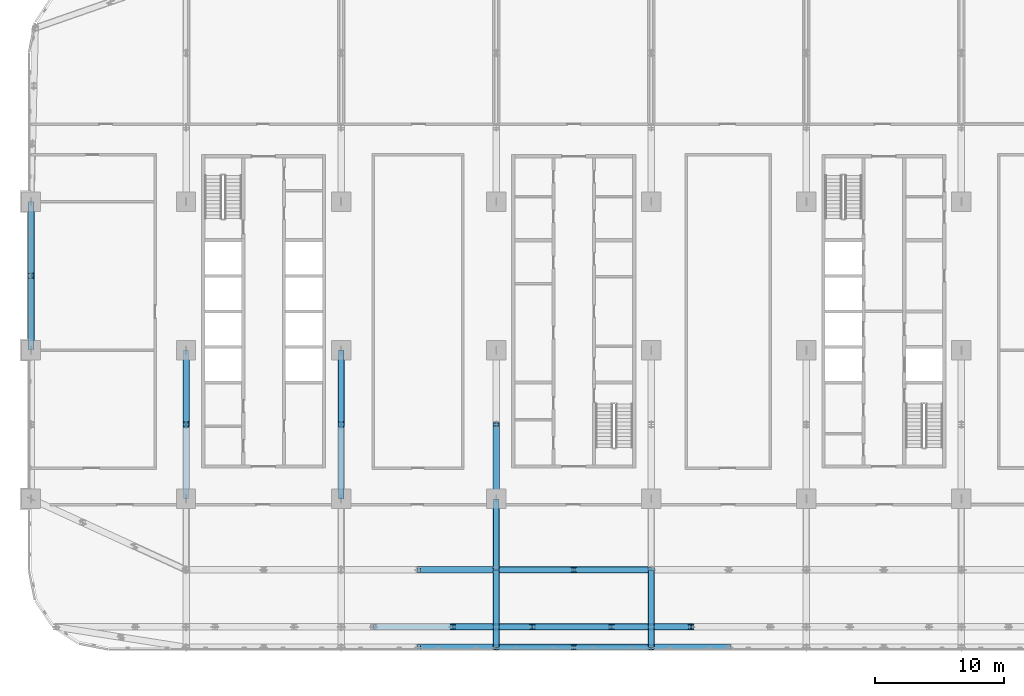
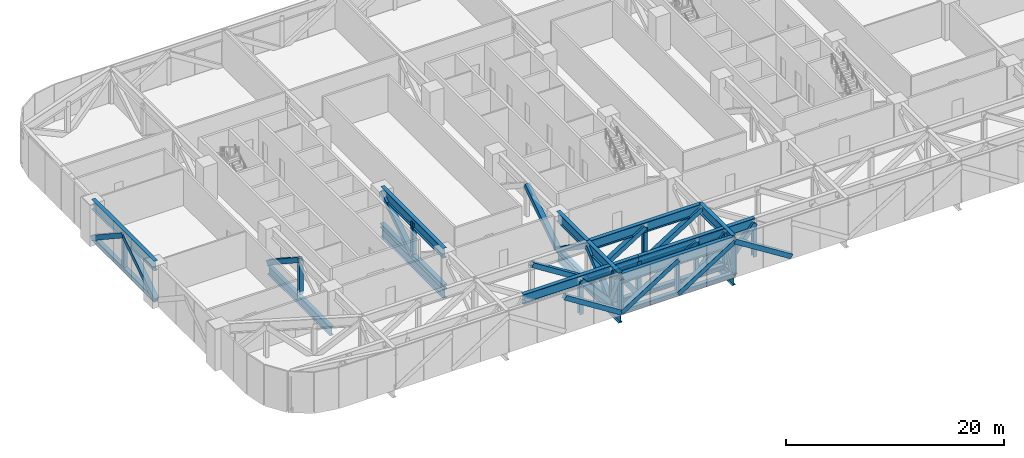
# One storey, part 4 of 26: 52 members, 5 beams.
"""IFC4 building model written with IfcOpenShell, lengths in metres."""

from ifc_helpers import new_model, si_unit, direction, frame, origin, origin_2d, place, context, subcontext, project, spatial, hollow_rectangle, i_section, extrude, material, material_profile, profile_set, type_object, element, save


model = new_model("IFC4")

# Units and contexts
model_context = context("Model", 3, precision=1e-05, world=origin(), true_north=direction((0.0, 1.0)))
body_context = subcontext(model_context, "Body", "Model", "MODEL_VIEW")
ifc_project = project(units=[si_unit("LENGTHUNIT", "METRE"), si_unit("AREAUNIT", "SQUARE_METRE"), si_unit("VOLUMEUNIT", "CUBIC_METRE"), si_unit("PLANEANGLEUNIT", "RADIAN"), si_unit("MASSUNIT", "GRAM", prefix="KILO")], contexts=[model_context])

# Site, building, storey
site_placement = place(None, origin())
site = spatial("IfcSite", under=ifc_project, at=site_placement, CompositionType="ELEMENT")
building_placement = place(site_placement, origin())
building = spatial("IfcBuilding", under=site, at=building_placement, Name="Mahtab Terrace Research Tower", CompositionType="ELEMENT")
storey_placement = place(building_placement, frame((0.0, 0.0, 80.39990234375)))
storey = spatial("IfcBuildingStorey", under=building, at=storey_placement, Name="L18", CompositionType="ELEMENT", Elevation=80.39990234375)

# Members
ifc_material_1 = material(Name="Steel ASTM A500 Gr C", Category="steel")
ifc_material_profile_1 = material_profile(ifc_material_1, hollow_rectangle(XDim=0.508056640625, YDim=0.508056640625, WallThickness=0.01904296875, at=origin_2d()), Name="HSS20X20X3/4")
ifc_profile_set_1 = profile_set([ifc_material_profile_1], Name="Steel ASTM A500 Gr C")
member_type_1 = type_object("IfcMemberType", Name="HSS 20x20x3/4 brace TD202034", PredefinedType="BRACE", material=ifc_profile_set_1)
for number, where, z_axis, x_axis, name in (
    (1, (-42.0, 0.0, -0.29345703125), (0.0, 0.834630911502, 0.550809623704), (-1.0, 0.0, 0.0), "Transfer truss T2 diagonal 004"),
    (2, (-42.0, 11.5, -0.29345703125), (0.0, -0.834630911502, 0.550809623704), (1.0, 0.0, 0.0), "Transfer truss T2 diagonal 005"),
    (3, (-30.0, 0.0, -0.29345703125), (0.0, -0.834630911502, 0.550809623704), (1.0, 0.0, 0.0), "Transfer truss T2 diagonal 022"),
    (4, (-18.0, -5.75, -0.29345703125), (0.0, 0.834630911502, 0.550809623704), (-1.0, 0.0, 0.0), "Transfer truss T2 diagonal 039"),
):
    element("IfcMember", number, at=place(storey_placement, frame(where, z_axis=z_axis, x_axis=x_axis)), inside=storey, type_object=member_type_1, Name=name, PredefinedType="BRACE", context=body_context, shape_type="SweptSolid", body=[
        extrude(hollow_rectangle(XDim=0.508056640625, YDim=0.508056640625, WallThickness=0.01904296875, at=origin_2d()), origin(), (0.0, 0.0, 1.0), 6.88916015625),
    ])
member_1_placement = place(storey_placement, frame((-6.0, -17.0, -0.29345703125), z_axis=(-0.845157783708, 0.0, 0.534516903978), x_axis=(0.0, -1.0, 0.0)))
element("IfcMember", 5, at=member_1_placement, inside=storey, type_object=member_type_1, Name="Transfer truss T2 diagonal 046", PredefinedType="BRACE", context=body_context, shape_type="SweptSolid", body=[
    extrude(hollow_rectangle(XDim=0.508056640625, YDim=0.508056640625, WallThickness=0.01904296875, at=origin_2d()), origin(), (0.0, 0.0, 1.0), 7.099365234375),
])
member_2_placement = place(storey_placement, frame((-6.0, -21.416015625, -0.29345703125), z_axis=(-0.662260742177, 0.0, 0.749273454335), x_axis=(0.0, -1.0, 0.0)))
element("IfcMember", 6, at=member_2_placement, inside=storey, type_object=member_type_1, Name="Transfer truss T2 diagonal 048", PredefinedType="BRACE", context=body_context, shape_type="SweptSolid", body=[
    extrude(hollow_rectangle(XDim=0.508056640625, YDim=0.508056640625, WallThickness=0.01904296875, at=origin_2d()), origin(), (0.0, 0.0, 1.0), 5.064453125),
])
member_3_placement = place(storey_placement, frame((-6.0, -23.0, -0.29345703125), z_axis=(-0.845157783708, 0.0, 0.534516903978), x_axis=(0.0, -1.0, 0.0)))
element("IfcMember", 7, at=member_3_placement, inside=storey, type_object=member_type_1, Name="Transfer truss T2 diagonal 049", PredefinedType="BRACE", context=body_context, shape_type="SweptSolid", body=[
    extrude(hollow_rectangle(XDim=0.508056640625, YDim=0.508056640625, WallThickness=0.01904296875, at=origin_2d()), origin(), (0.0, 0.0, 1.0), 7.099365234375),
])
member_4_placement = place(storey_placement, frame((-6.0, -21.416015625, -0.29345703125), z_axis=(0.0, -0.385209733972, 0.922829052887), x_axis=(1.0, 0.0, 0.0)))
element("IfcMember", 8, at=member_4_placement, inside=storey, type_object=member_type_1, Name="Transfer truss T2 diagonal 050", PredefinedType="BRACE", context=body_context, shape_type="SweptSolid", body=[
    extrude(hollow_rectangle(XDim=0.508056640625, YDim=0.508056640625, WallThickness=0.01904296875, at=origin_2d()), origin(), (0.0, 0.0, 1.0), 4.112060546875),
])
member_5_placement = place(storey_placement, frame((-6.0, -21.416015625, -0.29345703125), z_axis=(0.0, 0.75844798203, 0.651733579428), x_axis=(-1.0, 0.0, 0.0)))
element("IfcMember", 9, at=member_5_placement, inside=storey, type_object=member_type_1, Name="Transfer truss T2 diagonal 051", PredefinedType="BRACE", context=body_context, shape_type="SweptSolid", body=[
    extrude(hollow_rectangle(XDim=0.508056640625, YDim=0.508056640625, WallThickness=0.01904296875, at=origin_2d()), origin(), (0.0, 0.0, 1.0), 5.822509765625),
])
member_6_placement = place(storey_placement, frame((-3.2119140625, -21.416015625, -0.29345703125), z_axis=(-0.592098423699, 0.0, 0.805865656703), x_axis=(0.0, -1.0, 0.0)))
element("IfcMember", 10, at=member_6_placement, inside=storey, type_object=member_type_1, Name="Transfer truss T2 diagonal 052", PredefinedType="BRACE", context=body_context, shape_type="SweptSolid", body=[
    extrude(hollow_rectangle(XDim=0.508056640625, YDim=0.508056640625, WallThickness=0.01904296875, at=origin_2d()), origin(), (0.0, 0.0, 1.0), 4.708740234375),
])
member_7_placement = place(storey_placement, frame((-6.0, -17.0, -0.29345703125), z_axis=(0.845157783708, 0.0, 0.534516903978), x_axis=(0.0, 1.0, 0.0)))
element("IfcMember", 11, at=member_7_placement, inside=storey, type_object=member_type_1, Name="Transfer truss T2 diagonal 053", PredefinedType="BRACE", context=body_context, shape_type="SweptSolid", body=[
    extrude(hollow_rectangle(XDim=0.508056640625, YDim=0.508056640625, WallThickness=0.01904296875, at=origin_2d()), origin(), (0.0, 0.0, 1.0), 7.099365234375),
])
member_8_placement = place(storey_placement, frame((-6.0, -11.5, -0.29345703125), z_axis=(0.0, -0.82310265931, 0.567892606253), x_axis=(1.0, 0.0, 0.0)))
element("IfcMember", 12, at=member_8_placement, inside=storey, type_object=member_type_1, Name="Transfer truss T2 diagonal 054", PredefinedType="BRACE", context=body_context, shape_type="SweptSolid", body=[
    extrude(hollow_rectangle(XDim=0.508056640625, YDim=0.508056640625, WallThickness=0.01904296875, at=origin_2d()), origin(), (0.0, 0.0, 1.0), 6.68212890625),
])
member_9_placement = place(storey_placement, frame((-6.0, -11.5, -0.29345703125), z_axis=(0.0, 0.834630911502, 0.550809623704), x_axis=(-1.0, 0.0, 0.0)))
element("IfcMember", 13, at=member_9_placement, inside=storey, type_object=member_type_1, Name="Transfer truss T2 diagonal 055", PredefinedType="BRACE", context=body_context, shape_type="SweptSolid", body=[
    extrude(hollow_rectangle(XDim=0.508056640625, YDim=0.508056640625, WallThickness=0.01904296875, at=origin_2d()), origin(), (0.0, 0.0, 1.0), 6.88916015625),
])
member_10_placement = place(storey_placement, frame((-3.2119140625, -21.416015625, -0.29345703125), z_axis=(0.850687241188, 0.0, 0.525672157984), x_axis=(0.0, 1.0, 0.0)))
element("IfcMember", 14, at=member_10_placement, inside=storey, type_object=member_type_1, Name="Transfer truss T2 diagonal 061", PredefinedType="BRACE", context=body_context, shape_type="SweptSolid", body=[
    extrude(hollow_rectangle(XDim=0.508056640625, YDim=0.508056640625, WallThickness=0.01904296875, at=origin_2d()), origin(), (0.0, 0.0, 1.0), 7.21875),
])
for number, where, z_axis, x_axis, name in (
    (15, (-6.0, -23.0, -0.29345703125), (0.845157783708, 0.0, 0.534516903978), (0.0, 1.0, 0.0), "Transfer truss T2 diagonal 062"),
    (16, (0.0, -17.0, -0.29345703125), (0.845157783708, 0.0, 0.534516903978), (0.0, 1.0, 0.0), "Transfer truss T2 diagonal 063"),
):
    element("IfcMember", number, at=place(storey_placement, frame(where, z_axis=z_axis, x_axis=x_axis)), inside=storey, type_object=member_type_1, Name=name, PredefinedType="BRACE", context=body_context, shape_type="SweptSolid", body=[
        extrude(hollow_rectangle(XDim=0.508056640625, YDim=0.508056640625, WallThickness=0.01904296875, at=origin_2d()), origin(), (0.0, 0.0, 1.0), 7.099365234375),
    ])
member_11_placement = place(storey_placement, frame((2.928955078125, -21.416015625, -0.29345703125), z_axis=(0.629094637621, 0.0, 0.777328718701), x_axis=(0.0, 1.0, 0.0)))
element("IfcMember", 17, at=member_11_placement, inside=storey, type_object=member_type_1, Name="Transfer truss T2 diagonal 065", PredefinedType="BRACE", context=body_context, shape_type="SweptSolid", body=[
    extrude(hollow_rectangle(XDim=0.508056640625, YDim=0.508056640625, WallThickness=0.01904296875, at=origin_2d()), origin(), (0.0, 0.0, 1.0), 4.881591796875),
])
member_12_placement = place(storey_placement, frame((0.0, -23.0, -0.29345703125), z_axis=(0.845157783708, 0.0, 0.534516903978), x_axis=(0.0, 1.0, 0.0)))
element("IfcMember", 18, at=member_12_placement, inside=storey, type_object=member_type_1, Name="Transfer truss T2 diagonal 066", PredefinedType="BRACE", context=body_context, shape_type="SweptSolid", body=[
    extrude(hollow_rectangle(XDim=0.508056640625, YDim=0.508056640625, WallThickness=0.01904296875, at=origin_2d()), origin(), (0.0, 0.0, 1.0), 7.099365234375),
])
member_13_placement = place(storey_placement, frame((6.0, -23.0, -0.29345703125), z_axis=(0.0, 0.385209733972, 0.922829052887), x_axis=(-1.0, 0.0, 0.0)))
element("IfcMember", 19, at=member_13_placement, inside=storey, type_object=member_type_1, Name="Transfer truss T2 diagonal 067", PredefinedType="BRACE", context=body_context, shape_type="SweptSolid", body=[
    extrude(hollow_rectangle(XDim=0.508056640625, YDim=0.508056640625, WallThickness=0.01904296875, at=origin_2d()), origin(), (0.0, 0.0, 1.0), 4.112060546875),
])
member_14_placement = place(storey_placement, frame((6.0, -17.0, -0.29345703125), z_axis=(0.0, -0.75844798203, 0.651733579428), x_axis=(1.0, 0.0, 0.0)))
element("IfcMember", 20, at=member_14_placement, inside=storey, type_object=member_type_1, Name="Transfer truss T2 diagonal 068", PredefinedType="BRACE", context=body_context, shape_type="SweptSolid", body=[
    extrude(hollow_rectangle(XDim=0.508056640625, YDim=0.508056640625, WallThickness=0.01904296875, at=origin_2d()), origin(), (0.0, 0.0, 1.0), 5.822509765625),
])
member_15_placement = place(storey_placement, frame((6.0, -21.416015625, -0.29345703125), z_axis=(0.629094637621, 0.0, 0.777328718701), x_axis=(0.0, 1.0, 0.0)))
element("IfcMember", 21, at=member_15_placement, inside=storey, type_object=member_type_1, Name="Transfer truss T2 diagonal 069", PredefinedType="BRACE", context=body_context, shape_type="SweptSolid", body=[
    extrude(hollow_rectangle(XDim=0.508056640625, YDim=0.508056640625, WallThickness=0.01904296875, at=origin_2d()), origin(), (0.0, 0.0, 1.0), 4.881591796875),
])
member_16_placement = place(storey_placement, frame((12.0, -23.0, -0.29345703125), z_axis=(-0.845157783708, 0.0, 0.534516903978), x_axis=(0.0, -1.0, 0.0)))
element("IfcMember", 22, at=member_16_placement, inside=storey, type_object=member_type_1, Name="Transfer truss T2 diagonal 079", PredefinedType="BRACE", context=body_context, shape_type="SweptSolid", body=[
    extrude(hollow_rectangle(XDim=0.508056640625, YDim=0.508056640625, WallThickness=0.01904296875, at=origin_2d()), origin(), (0.0, 0.0, 1.0), 7.099365234375),
])
ifc_material_2 = material(Name="Steel ASTM A992 Gr 50", Category="steel")
ifc_material_profile_2 = material_profile(ifc_material_2, i_section(OverallWidth=0.398681640625, OverallDepth=0.393798828125, WebThickness=0.022705078125, FlangeThickness=0.03662109375, at=origin_2d()), Name="W14X193")
ifc_profile_set_2 = profile_set([ifc_material_profile_2], Name="Steel ASTM A992 Gr 50")
member_type_2 = type_object("IfcMemberType", Name="W14x193 post TP14193", PredefinedType="POST", material=ifc_profile_set_2)
for number, where, z_axis, x_axis, name in (
    (23, (-42.0, 5.75, -0.29345703125), (0.0, 0.0, 1.0), (1.0, 0.0, 0.0), "Transfer truss T2 post 004"),
    (24, (-30.0, -5.75, -0.29345703125), (0.0, 0.0, 1.0), (1.0, 0.0, 0.0), "Transfer truss T2 post 019"),
    (25, (-18.0, -5.75, -0.29345703125), (0.0, 0.0, 1.0), (1.0, 0.0, 0.0), "Transfer truss T2 post 034"),
    (26, (-9.35009765625, -21.419921875, -0.29345703125), (0.0, 0.0, 1.0), (1.0, 0.0, 0.0), "Transfer truss T2 post 044"),
    (27, (-6.0, -23.0, -0.29345703125), (0.0, 0.0, 1.0), (1.0, 0.0, 0.0), "Transfer truss T2 post 045"),
    (28, (-6.0, -21.419921875, -0.29345703125), (0.0, 0.0, 1.0), (1.0, 0.0, 0.0), "Transfer truss T2 post 046"),
    (29, (-3.2099609375, -21.419921875, -0.29345703125), (0.0, 0.0, 1.0), (1.0, 0.0, 0.0), "Transfer truss T2 post 055"),
    (30, (0.0, -23.0, -0.29345703125), (0.0, 0.0, 1.0), (1.0, 0.0, 0.0), "Transfer truss T2 post 056"),
    (31, (0.0, -17.0, -0.29345703125), (0.0, 0.0, 1.0), (1.0, 0.0, 0.0), "Transfer truss T2 post 057"),
    (32, (2.929931640625, -21.419921875, -0.29345703125), (0.0, 0.0, 1.0), (1.0, 0.0, 0.0), "Transfer truss T2 post 059"),
    (33, (6.0, -23.0, -0.29345703125), (0.0, 0.0, 1.0), (1.0, 0.0, 0.0), "Transfer truss T2 post 060"),
    (34, (6.0, -21.419921875, -0.29345703125), (0.0, 0.0, 1.0), (1.0, 0.0, 0.0), "Transfer truss T2 post 061"),
    (35, (9.070068359375, -21.419921875, -0.29345703125), (0.0, 0.0, 1.0), (1.0, 0.0, 0.0), "Transfer truss T2 post 070"),
):
    element("IfcMember", number, at=place(storey_placement, frame(where, z_axis=z_axis, x_axis=x_axis)), inside=storey, type_object=member_type_2, Name=name, PredefinedType="POST", context=body_context, shape_type="SweptSolid", body=[
        extrude(i_section(OverallWidth=0.398681640625, OverallDepth=0.393798828125, WebThickness=0.022705078125, FlangeThickness=0.03662109375, at=origin_2d()), origin(), (0.0, 0.0, 1.0), 3.794677734375),
    ])
ifc_material_profile_3 = material_profile(ifc_material_2, i_section(OverallWidth=0.43701171875, OverallDepth=0.51318359375, WebThickness=0.060546875, FlangeThickness=0.096923828125, at=origin_2d()), Name="W14X550")
ifc_profile_set_3 = profile_set([ifc_material_profile_3], Name="Steel ASTM A992 Gr 50")
member_type_3 = type_object("IfcMemberType", Name="W14x550 chord TC14550", PredefinedType="CHORD", material=ifc_profile_set_3)
member_17_placement = place(storey_placement, frame((-42.0, 11.5, -0.29345703125), z_axis=(0.0, -1.0, 0.0), x_axis=(1.0, 0.0, 0.0)))
element("IfcMember", 36, at=member_17_placement, inside=storey, type_object=member_type_3, Name="Transfer truss T2 bottom chord 005", PredefinedType="CHORD", context=body_context, shape_type="SweptSolid", body=[
    extrude(i_section(OverallWidth=0.43701171875, OverallDepth=0.51318359375, WebThickness=0.060546875, FlangeThickness=0.096923828125, at=origin_2d()), origin(), (0.0, 0.0, 1.0), 11.5),
])
for number, where, z_axis, x_axis, name in (
    (37, (-6.0, -21.416015625, -0.29345703125), (1.0, 0.0, 0.0), (0.0, 1.0, 0.0), "Transfer truss T2 bottom chord 012"),
    (38, (6.0, -23.0, -0.29345703125), (-1.0, 0.0, 0.0), (0.0, -1.0, 0.0), "Transfer truss T2 bottom chord 024"),
    (39, (-6.0, -17.0, -0.29345703125), (1.0, 0.0, 0.0), (0.0, 1.0, 0.0), "Transfer truss T2 bottom chord 029"),
):
    element("IfcMember", number, at=place(storey_placement, frame(where, z_axis=z_axis, x_axis=x_axis)), inside=storey, type_object=member_type_3, Name=name, PredefinedType="CHORD", context=body_context, shape_type="SweptSolid", body=[
        extrude(i_section(OverallWidth=0.43701171875, OverallDepth=0.51318359375, WebThickness=0.060546875, FlangeThickness=0.096923828125, at=origin_2d()), origin(), (0.0, 0.0, 1.0), 12.0),
    ])
member_18_placement = place(storey_placement, frame((-18.0, -11.5, -0.29345703125), z_axis=(0.0, 1.0, 0.0), x_axis=(-1.0, 0.0, 0.0)))
element("IfcMember", 40, at=member_18_placement, inside=storey, type_object=member_type_3, Name="Transfer truss T2 bottom chord 043", PredefinedType="CHORD", context=body_context, shape_type="SweptSolid", body=[
    extrude(i_section(OverallWidth=0.43701171875, OverallDepth=0.51318359375, WebThickness=0.060546875, FlangeThickness=0.096923828125, at=origin_2d()), origin(), (0.0, 0.0, 1.0), 11.5),
])
member_19_placement = place(storey_placement, frame((-6.0, -23.0, -0.29345703125), z_axis=(0.0, 1.0, 0.0), x_axis=(-1.0, 0.0, 0.0)))
element("IfcMember", 41, at=member_19_placement, inside=storey, type_object=member_type_3, Name="Transfer truss T2 bottom chord 046", PredefinedType="CHORD", context=body_context, shape_type="SweptSolid", body=[
    extrude(i_section(OverallWidth=0.43701171875, OverallDepth=0.51318359375, WebThickness=0.060546875, FlangeThickness=0.096923828125, at=origin_2d()), origin(), (0.0, 0.0, 1.0), 6.0),
])
member_20_placement = place(storey_placement, frame((-6.0, -17.0, -0.29345703125), z_axis=(0.0, 1.0, 0.0), x_axis=(-1.0, 0.0, 0.0)))
element("IfcMember", 42, at=member_20_placement, inside=storey, type_object=member_type_3, Name="Transfer truss T2 bottom chord 047", PredefinedType="CHORD", context=body_context, shape_type="SweptSolid", body=[
    extrude(i_section(OverallWidth=0.43701171875, OverallDepth=0.51318359375, WebThickness=0.060546875, FlangeThickness=0.096923828125, at=origin_2d()), origin(), (0.0, 0.0, 1.0), 5.5),
])
member_21_placement = place(storey_placement, frame((6.0, -23.0, -0.29345703125), z_axis=(0.0, 1.0, 0.0), x_axis=(-1.0, 0.0, 0.0)))
element("IfcMember", 43, at=member_21_placement, inside=storey, type_object=member_type_3, Name="Transfer truss T2 bottom chord 051", PredefinedType="CHORD", context=body_context, shape_type="SweptSolid", body=[
    extrude(i_section(OverallWidth=0.43701171875, OverallDepth=0.51318359375, WebThickness=0.060546875, FlangeThickness=0.096923828125, at=origin_2d()), origin(), (0.0, 0.0, 1.0), 6.0),
])

# Beams
ifc_material_profile_4 = material_profile(ifc_material_2, i_section(OverallWidth=0.4013671875, OverallDepth=1.000732421875, WebThickness=0.01904296875, FlangeThickness=0.0361328125, at=origin_2d()), Name="W40X249")
ifc_profile_set_4 = profile_set([ifc_material_profile_4], Name="Steel ASTM A992 Gr 50")
beam_type = type_object("IfcBeamType", Name="W40x249 transfer girder TG40249", PredefinedType="BEAM", material=ifc_profile_set_4)
for number, where, z_axis, x_axis, name in (
    (44, (-30.0, -11.5, -1.04833984375), (0.0, 1.0, 0.0), (-1.0, 0.0, 0.0), "Transfer girder T2 17"),
    (45, (-18.0, -11.5, -1.04833984375), (0.0, 1.0, 0.0), (-1.0, 0.0, 0.0), "Transfer girder T2 20"),
):
    element("IfcBeam", number, at=place(storey_placement, frame(where, z_axis=z_axis, x_axis=x_axis)), inside=storey, type_object=beam_type, Name=name, PredefinedType="BEAM", context=body_context, shape_type="SweptSolid", body=[
        extrude(i_section(OverallWidth=0.4013671875, OverallDepth=1.000732421875, WebThickness=0.01904296875, FlangeThickness=0.0361328125, at=origin_2d()), origin(), (0.0, 0.0, 1.0), 11.5),
    ])
beam_1_placement = place(storey_placement, frame((-6.0, -23.0, -1.04833984375), z_axis=(0.0, 1.0, 0.0), x_axis=(-1.0, 0.0, 0.0)))
element("IfcBeam", 46, at=beam_1_placement, inside=storey, type_object=beam_type, Name="Transfer girder T2 21", PredefinedType="BEAM", context=body_context, shape_type="SweptSolid", body=[
    extrude(i_section(OverallWidth=0.4013671875, OverallDepth=1.000732421875, WebThickness=0.01904296875, FlangeThickness=0.0361328125, at=origin_2d()), origin(), (0.0, 0.0, 1.0), 6.0),
])
beam_2_placement = place(storey_placement, frame((-6.0, -17.0, -1.04833984375), z_axis=(0.0, 1.0, 0.0), x_axis=(-1.0, 0.0, 0.0)))
element("IfcBeam", 47, at=beam_2_placement, inside=storey, type_object=beam_type, Name="Transfer girder T2 22", PredefinedType="BEAM", context=body_context, shape_type="SweptSolid", body=[
    extrude(i_section(OverallWidth=0.4013671875, OverallDepth=1.000732421875, WebThickness=0.01904296875, FlangeThickness=0.0361328125, at=origin_2d()), origin(), (0.0, 0.0, 1.0), 5.5),
])
beam_3_placement = place(storey_placement, frame((6.0, -23.0, -1.04833984375), z_axis=(0.0, 1.0, 0.0), x_axis=(-1.0, 0.0, 0.0)))
element("IfcBeam", 48, at=beam_3_placement, inside=storey, type_object=beam_type, Name="Transfer girder T2 24", PredefinedType="BEAM", context=body_context, shape_type="SweptSolid", body=[
    extrude(i_section(OverallWidth=0.4013671875, OverallDepth=1.000732421875, WebThickness=0.01904296875, FlangeThickness=0.0361328125, at=origin_2d()), origin(), (0.0, 0.0, 1.0), 6.0),
])

# Members
ifc_material_profile_5 = material_profile(ifc_material_2, i_section(OverallWidth=0.40380859375, OverallDepth=1.11767578125, WebThickness=0.026123046875, FlangeThickness=0.044921875, at=origin_2d()), Name="W44X335")
ifc_profile_set_5 = profile_set([ifc_material_profile_5], Name="Steel ASTM A992 Gr 50")
member_type_4 = type_object("IfcMemberType", Name="W44x335 chord TT44335", PredefinedType="CHORD", material=ifc_profile_set_5)
member_22_placement = place(storey_placement, frame((-42.0, 11.5, 3.501220703125), z_axis=(0.0, -1.0, 0.0), x_axis=(1.0, 0.0, 0.0)))
element("IfcMember", 49, at=member_22_placement, inside=storey, type_object=member_type_4, Name="Transfer truss T2 top chord 005", PredefinedType="CHORD", context=body_context, shape_type="SweptSolid", body=[
    extrude(i_section(OverallWidth=0.40380859375, OverallDepth=1.11767578125, WebThickness=0.026123046875, FlangeThickness=0.044921875, at=origin_2d()), origin(), (0.0, 0.0, 1.0), 11.5),
])
member_23_placement = place(storey_placement, frame((-15.49609375, -21.416015625, 3.501220703125), z_axis=(1.0, 0.0, 0.0), x_axis=(0.0, 1.0, 0.0)))
element("IfcMember", 50, at=member_23_placement, inside=storey, type_object=member_type_4, Name="Transfer truss T2 top chord 010", PredefinedType="CHORD", context=body_context, shape_type="SweptSolid", body=[
    extrude(i_section(OverallWidth=0.40380859375, OverallDepth=1.11767578125, WebThickness=0.026123046875, FlangeThickness=0.044921875, at=origin_2d()), origin(), (0.0, 0.0, 1.0), 12.2841796875),
])
member_24_placement = place(storey_placement, frame((-3.2119140625, -21.416015625, 3.501220703125), z_axis=(1.0, 0.0, 0.0), x_axis=(0.0, 1.0, 0.0)))
element("IfcMember", 51, at=member_24_placement, inside=storey, type_object=member_type_4, Name="Transfer truss T2 top chord 011", PredefinedType="CHORD", context=body_context, shape_type="SweptSolid", body=[
    extrude(i_section(OverallWidth=0.40380859375, OverallDepth=1.11767578125, WebThickness=0.026123046875, FlangeThickness=0.044921875, at=origin_2d()), origin(), (0.0, 0.0, 1.0), 12.282958984375),
])
for number, where, z_axis, x_axis, name in (
    (52, (6.0, -23.0, 3.501220703125), (-1.0, 0.0, 0.0), (0.0, -1.0, 0.0), "Transfer truss T2 top chord 023"),
    (53, (-6.0, -17.0, 3.501220703125), (1.0, 0.0, 0.0), (0.0, 1.0, 0.0), "Transfer truss T2 top chord 028"),
):
    element("IfcMember", number, at=place(storey_placement, frame(where, z_axis=z_axis, x_axis=x_axis)), inside=storey, type_object=member_type_4, Name=name, PredefinedType="CHORD", context=body_context, shape_type="SweptSolid", body=[
        extrude(i_section(OverallWidth=0.40380859375, OverallDepth=1.11767578125, WebThickness=0.026123046875, FlangeThickness=0.044921875, at=origin_2d()), origin(), (0.0, 0.0, 1.0), 12.0),
    ])
member_25_placement = place(storey_placement, frame((-18.0, -11.5, 3.501220703125), z_axis=(0.0, 1.0, 0.0), x_axis=(-1.0, 0.0, 0.0)))
element("IfcMember", 54, at=member_25_placement, inside=storey, type_object=member_type_4, Name="Transfer truss T2 top chord 042", PredefinedType="CHORD", context=body_context, shape_type="SweptSolid", body=[
    extrude(i_section(OverallWidth=0.40380859375, OverallDepth=1.11767578125, WebThickness=0.026123046875, FlangeThickness=0.044921875, at=origin_2d()), origin(), (0.0, 0.0, 1.0), 11.5),
])
member_26_placement = place(storey_placement, frame((-6.0, -23.0, 3.501220703125), z_axis=(0.0, 1.0, 0.0), x_axis=(-1.0, 0.0, 0.0)))
element("IfcMember", 55, at=member_26_placement, inside=storey, type_object=member_type_4, Name="Transfer truss T2 top chord 045", PredefinedType="CHORD", context=body_context, shape_type="SweptSolid", body=[
    extrude(i_section(OverallWidth=0.40380859375, OverallDepth=1.11767578125, WebThickness=0.026123046875, FlangeThickness=0.044921875, at=origin_2d()), origin(), (0.0, 0.0, 1.0), 6.0),
])
member_27_placement = place(storey_placement, frame((-6.0, -17.0, 3.501220703125), z_axis=(0.0, 1.0, 0.0), x_axis=(-1.0, 0.0, 0.0)))
element("IfcMember", 56, at=member_27_placement, inside=storey, type_object=member_type_4, Name="Transfer truss T2 top chord 046", PredefinedType="CHORD", context=body_context, shape_type="SweptSolid", body=[
    extrude(i_section(OverallWidth=0.40380859375, OverallDepth=1.11767578125, WebThickness=0.026123046875, FlangeThickness=0.044921875, at=origin_2d()), origin(), (0.0, 0.0, 1.0), 5.5),
])
member_28_placement = place(storey_placement, frame((6.0, -23.0, 3.501220703125), z_axis=(0.0, 1.0, 0.0), x_axis=(-1.0, 0.0, 0.0)))
element("IfcMember", 57, at=member_28_placement, inside=storey, type_object=member_type_4, Name="Transfer truss T2 top chord 050", PredefinedType="CHORD", context=body_context, shape_type="SweptSolid", body=[
    extrude(i_section(OverallWidth=0.40380859375, OverallDepth=1.11767578125, WebThickness=0.026123046875, FlangeThickness=0.044921875, at=origin_2d()), origin(), (0.0, 0.0, 1.0), 6.0),
])

save(model, "model.ifc")
